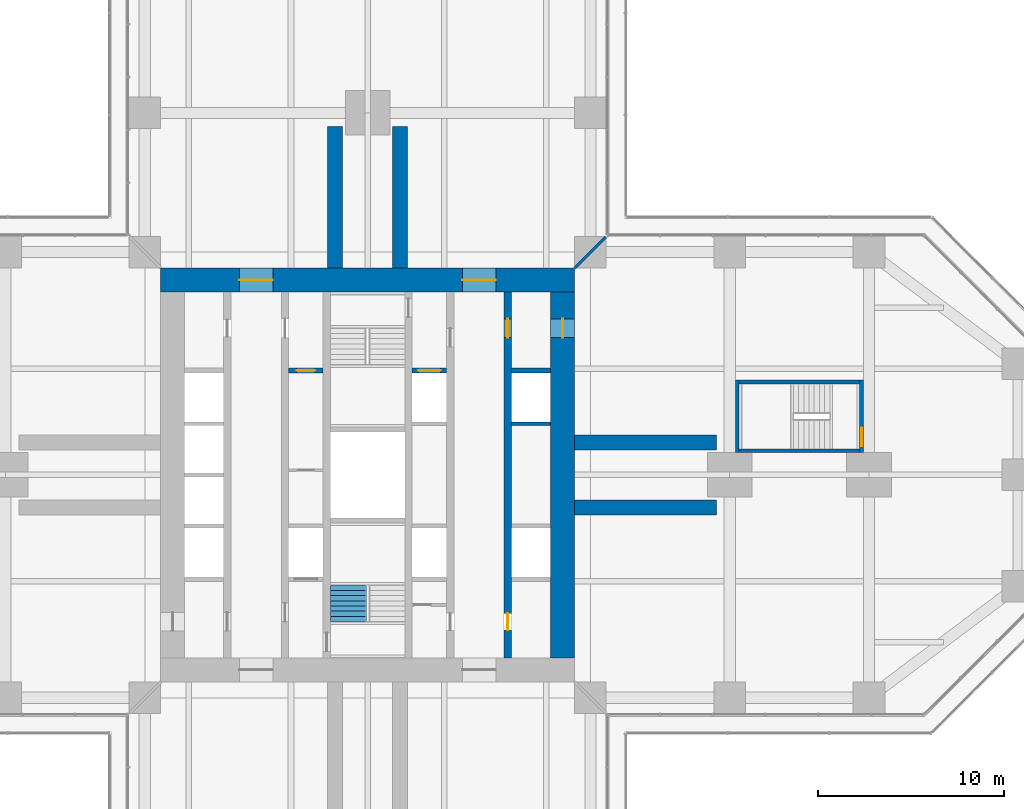
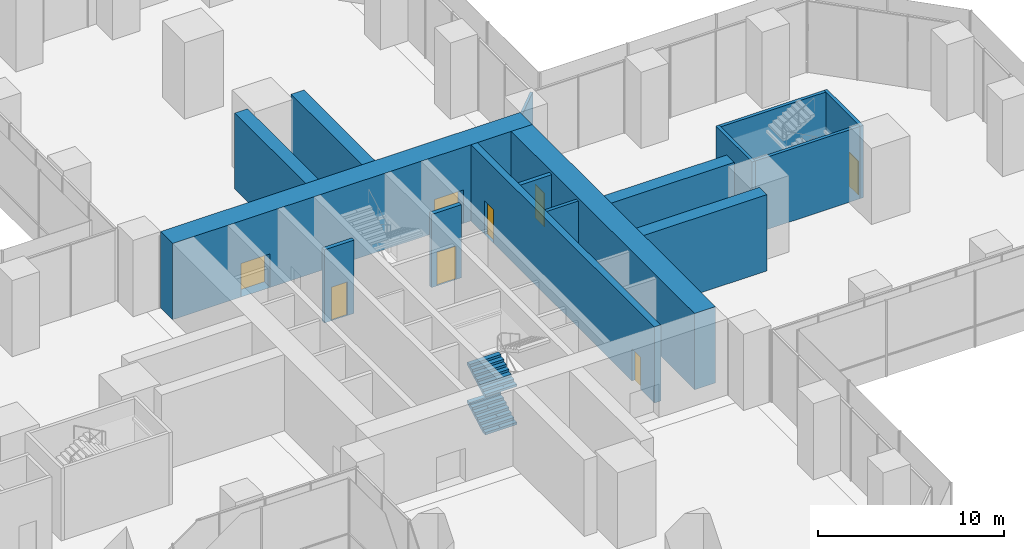
# One storey, part 18 of 23: 16 walls, 8 doors, 2 stair flights, 8 openings, 1 element without a shape of its own.
"""IFC4 building model written with IfcOpenShell, lengths in metres."""

from ifc_helpers import new_model, si_unit, direction, frame, frame_2d, origin, place, context, subcontext, project, spatial, polyline, rectangle, outline, extrude, material, layer, layer_set, type_object, element, fill, aggregate, save


model = new_model("IFC4")

# Units and contexts
model_context = context("Model", 3, precision=1e-05, world=origin(), true_north=direction((0.0, 1.0)))
body_context = subcontext(model_context, "Body", "Model", "MODEL_VIEW")
ifc_project = project(units=[si_unit("LENGTHUNIT", "METRE"), si_unit("AREAUNIT", "SQUARE_METRE"), si_unit("VOLUMEUNIT", "CUBIC_METRE"), si_unit("PLANEANGLEUNIT", "RADIAN"), si_unit("MASSUNIT", "GRAM", prefix="KILO")], contexts=[model_context])

# Site, building, storey
site_placement = place(None, origin())
site = spatial("IfcSite", under=ifc_project, at=site_placement, CompositionType="ELEMENT")
building_placement = place(site_placement, origin())
building = spatial("IfcBuilding", under=site, at=building_placement, Name="Mizan Broadcast Tower", CompositionType="ELEMENT")
storey_placement = place(building_placement, frame((0.0, 0.0, 23.0)))
storey = spatial("IfcBuildingStorey", under=building, at=storey_placement, Name="L03", CompositionType="ELEMENT", Elevation=23.0)

# Wall, openings, doors
ifc_material_1 = material(Name="Concrete C70/85", Category="concrete")
ifc_layer_1 = layer(ifc_material_1, 0.39990234375)
ifc_layer_set_1 = layer_set([ifc_layer_1], Name="Concrete C70/85")
wall_type_1 = type_object("IfcWallType", Name="CORE INTERNAL WALL 400", PredefinedType="SHEAR", material=ifc_layer_set_1)
wall_1_placement = place(storey_placement, frame((7.550048828125, 9.85009765625, 0.0), z_axis=(0.0, 0.0, 1.0), x_axis=(0.0, -1.0, 0.0)))
wall_1 = element("IfcWall", 1, at=wall_1_placement, inside=storey, type_object=wall_type_1, Name="Core wall CORE/XW1E", PredefinedType="SHEAR", context=body_context, shape_type="SweptSolid", body=[
    extrude(rectangle(XDim=19.7001953125, YDim=0.39990234375, at=frame_2d((9.85009765625, 0.0))), origin(), (0.0, 0.0, 1.0), 5.0),
])
opening_1_placement = place(wall_1_placement, frame((1.449951171875, 0.0, 0.0)))
opening_1 = element("IfcOpeningElement", 2, at=opening_1_placement, cuts=wall_1, Name="Opening D10F", PredefinedType="OPENING", context=body_context, shape_type="SweptSolid", body=[
    extrude(rectangle(XDim=1.0, YDim=2.199951171875, at=frame_2d((0.5, 1.10009765625))), frame((0.0, 0.2099609375, 0.0), z_axis=(0.0, -1.0, 0.0), x_axis=(1.0, 0.0, 0.0)), (0.0, 0.0, 1.0), 0.419921875),
])
opening_2_placement = place(wall_1_placement, frame((17.300048828125, 0.0, 0.0)))
opening_2 = element("IfcOpeningElement", 3, at=opening_2_placement, cuts=wall_1, Name="Opening D09", PredefinedType="OPENING", context=body_context, shape_type="SweptSolid", body=[
    extrude(rectangle(XDim=0.89990234375, YDim=2.10009765625, at=frame_2d((0.449951171875, 1.050048828125))), frame((0.0, 0.2099609375, 0.0), z_axis=(0.0, -1.0, 0.0), x_axis=(1.0, 0.0, 0.0)), (0.0, 0.0, 1.0), 0.419921875),
])
ifc_material_2 = material(Name="Steel door leaf in steel frame", Category="steel")
door_type_1 = type_object("IfcDoorType", Name="FIRE DOOR 1000 FD90", OperationType="SINGLE_SWING_LEFT", PredefinedType="DOOR", material=ifc_material_2)
door_1_placement = place(opening_1_placement, origin())
door_1 = element("IfcDoor", 4, at=door_1_placement, inside=storey, type_object=door_type_1, Name="East core passage door", OperationType="SINGLE_SWING_LEFT", OverallHeight=2.199951171875, OverallWidth=1.0, PredefinedType="DOOR", context=body_context, shape_type="SweptSolid", body=[
    extrude(rectangle(XDim=1.0, YDim=2.199951171875, at=frame_2d((0.5, 1.10009765625))), frame((0.0, 0.02490234375, 0.0), z_axis=(0.0, -1.0, 0.0), x_axis=(1.0, 0.0, 0.0)), (0.0, 0.0, 1.0), 0.050048828125),
])
fill(opening_1, door_1)
ifc_material_3 = material(Name="Timber door leaf in aluminium frame", Category="wood")
door_type_2 = type_object("IfcDoorType", Name="TOILET DOOR 900", OperationType="SINGLE_SWING_LEFT", PredefinedType="DOOR", material=ifc_material_3)
door_2_placement = place(opening_2_placement, origin())
door_2 = element("IfcDoor", 5, at=door_2_placement, inside=storey, type_object=door_type_2, Name="Female WC door", OperationType="SINGLE_SWING_RIGHT", OverallHeight=2.10009765625, OverallWidth=0.89990234375, PredefinedType="DOOR", context=body_context, shape_type="SweptSolid", body=[
    extrude(rectangle(XDim=0.89990234375, YDim=2.10009765625, at=frame_2d((0.449951171875, 1.050048828125))), frame((0.0, 0.02490234375, 0.0), z_axis=(0.0, -1.0, 0.0), x_axis=(1.0, 0.0, 0.0)), (0.0, 0.0, 1.0), 0.050048828125),
])
fill(opening_2, door_2)

ifc_material_4 = material(Name="Concrete C70/85", Category="concrete")
ifc_layer_2 = layer(ifc_material_4, 1.300048828125)
ifc_layer_set_2 = layer_set([ifc_layer_2], Name="Concrete C70/85")
wall_type_2 = type_object("IfcWallType", Name="CORE WALL 1300", PredefinedType="SHEAR", material=ifc_layer_set_2)
wall_2_placement = place(storey_placement, frame((-11.14990234375, 10.5, 0.0), z_axis=(0.0, 0.0, 1.0), x_axis=(1.0, 0.0, 0.0)))
wall_2 = element("IfcWall", 6, at=wall_2_placement, inside=storey, type_object=wall_type_2, Name="Core wall N L03", PredefinedType="SHEAR", context=body_context, shape_type="SweptSolid", body=[
    extrude(rectangle(XDim=22.2998046875, YDim=1.300048828125, at=frame_2d((11.14990234375, 0.0))), origin(), (0.0, 0.0, 1.0), 5.0),
])
opening_3_placement = place(wall_2_placement, frame((4.25, 0.0, 0.0)))
opening_3 = element("IfcOpeningElement", 7, at=opening_3_placement, cuts=wall_2, Name="Opening D18F", PredefinedType="OPENING", context=body_context, shape_type="SweptSolid", body=[
    extrude(rectangle(XDim=1.800048828125, YDim=2.199951171875, at=frame_2d((0.89990234375, 1.10009765625))), frame((0.0, 0.659912109375, 0.0), z_axis=(0.0, -1.0, 0.0), x_axis=(1.0, 0.0, 0.0)), (0.0, 0.0, 1.0), 1.320068359375),
])
opening_4_placement = place(wall_2_placement, frame((16.25, 0.0, 0.0)))
opening_4 = element("IfcOpeningElement", 8, at=opening_4_placement, cuts=wall_2, Name="Opening D18F", PredefinedType="OPENING", context=body_context, shape_type="SweptSolid", body=[
    extrude(rectangle(XDim=1.800048828125, YDim=2.199951171875, at=frame_2d((0.89990234375, 1.10009765625))), frame((0.0, 0.659912109375, 0.0), z_axis=(0.0, -1.0, 0.0), x_axis=(1.0, 0.0, 0.0)), (0.0, 0.0, 1.0), 1.320068359375),
])
ifc_material_5 = material(Name="Steel door leaf in steel frame", Category="steel")
door_type_3 = type_object("IfcDoorType", Name="LOBBY DOUBLE DOOR 1800 FD90", OperationType="DOUBLE_DOOR_DOUBLE_SWING", PredefinedType="DOOR", material=ifc_material_5)
door_3_placement = place(opening_3_placement, origin())
door_3 = element("IfcDoor", 9, at=door_3_placement, inside=storey, type_object=door_type_3, Name="West lift lobby north door", OperationType="DOUBLE_DOOR_DOUBLE_SWING", OverallHeight=2.199951171875, OverallWidth=1.800048828125, PredefinedType="DOOR", context=body_context, shape_type="SweptSolid", body=[
    extrude(rectangle(XDim=1.800048828125, YDim=2.199951171875, at=frame_2d((0.89990234375, 1.10009765625))), frame((0.0, 0.02490234375, 0.0), z_axis=(0.0, -1.0, 0.0), x_axis=(1.0, 0.0, 0.0)), (0.0, 0.0, 1.0), 0.050048828125),
])
fill(opening_3, door_3)
door_4_placement = place(opening_4_placement, origin())
door_4 = element("IfcDoor", 10, at=door_4_placement, inside=storey, type_object=door_type_3, Name="East lift lobby north door", OperationType="DOUBLE_DOOR_DOUBLE_SWING", OverallHeight=2.199951171875, OverallWidth=1.800048828125, PredefinedType="DOOR", context=body_context, shape_type="SweptSolid", body=[
    extrude(rectangle(XDim=1.800048828125, YDim=2.199951171875, at=frame_2d((0.89990234375, 1.10009765625))), frame((0.0, 0.02490234375, 0.0), z_axis=(0.0, -1.0, 0.0), x_axis=(1.0, 0.0, 0.0)), (0.0, 0.0, 1.0), 0.050048828125),
])
fill(opening_4, door_4)

# Wall, opening, door
wall_3_placement = place(storey_placement, frame((10.5, -9.85009765625, 0.0), z_axis=(0.0, 0.0, 1.0), x_axis=(0.0, 1.0, 0.0)))
wall_3 = element("IfcWall", 11, at=wall_3_placement, inside=storey, type_object=wall_type_2, Name="Core wall E L03", PredefinedType="SHEAR", context=body_context, shape_type="SweptSolid", body=[
    extrude(rectangle(XDim=19.7001953125, YDim=1.300048828125, at=frame_2d((9.85009765625, 0.0))), origin(), (0.0, 0.0, 1.0), 5.0),
])
opening_5_placement = place(wall_3_placement, frame((17.25, 0.0, 0.0)))
opening_5 = element("IfcOpeningElement", 12, at=opening_5_placement, cuts=wall_3, Name="Opening D10F", PredefinedType="OPENING", context=body_context, shape_type="SweptSolid", body=[
    extrude(rectangle(XDim=1.0, YDim=2.199951171875, at=frame_2d((0.5, 1.10009765625))), frame((0.0, 0.659912109375, 0.0), z_axis=(0.0, -1.0, 0.0), x_axis=(1.0, 0.0, 0.0)), (0.0, 0.0, 1.0), 1.320068359375),
])
door_5_placement = place(opening_5_placement, origin())
door_5 = element("IfcDoor", 13, at=door_5_placement, inside=storey, type_object=door_type_1, Name="East core passage arm door", OperationType="SINGLE_SWING_RIGHT", OverallHeight=2.199951171875, OverallWidth=1.0, PredefinedType="DOOR", context=body_context, shape_type="SweptSolid", body=[
    extrude(rectangle(XDim=1.0, YDim=2.199951171875, at=frame_2d((0.5, 1.10009765625))), frame((0.0, 0.02490234375, 0.0), z_axis=(0.0, -1.0, 0.0), x_axis=(1.0, 0.0, 0.0)), (0.0, 0.0, 1.0), 0.050048828125),
])
fill(opening_5, door_5)

# Wall
ifc_material_6 = material(Name="Concrete blockwork", Category="masonry")
ifc_layer_3 = layer(ifc_material_6, 0.199951171875)
ifc_layer_set_3 = layer_set([ifc_layer_3], Name="Concrete blockwork")
wall_type_3 = type_object("IfcWallType", Name="LIFT SHAFT WALL 200", PredefinedType="SOLIDWALL", material=ifc_layer_set_3)
wall_4_placement = place(storey_placement, frame((7.75, 2.75, 0.0), z_axis=(0.0, 0.0, 1.0), x_axis=(1.0, 0.0, 0.0)))
element("IfcWall", 14, at=wall_4_placement, inside=storey, type_object=wall_type_3, Name="Lift shaft wall CORE/SE1-3", PredefinedType="SOLIDWALL", context=body_context, shape_type="SweptSolid", body=[
    extrude(rectangle(XDim=2.10009765625, YDim=0.199951171875, at=frame_2d((1.050048828125, 0.0))), origin(), (0.0, 0.0, 1.0), 4.800048828125),
])

# Wall, opening, door
ifc_material_7 = material(Name="Concrete blockwork", Category="masonry")
ifc_layer_4 = layer(ifc_material_7, 0.25)
ifc_layer_set_4 = layer_set([ifc_layer_4], Name="Concrete blockwork")
wall_type_4 = type_object("IfcWallType", Name="LOBBY ENCLOSURE WALL 250", PredefinedType="SOLIDWALL", material=ifc_layer_set_4)
wall_5_placement = place(storey_placement, frame((-4.25, 5.625, 0.0), z_axis=(0.0, 0.0, 1.0), x_axis=(1.0, 0.0, 0.0)))
wall_5 = element("IfcWall", 15, at=wall_5_placement, inside=storey, type_object=wall_type_4, Name="Lobby enclosure wall CORE/BW2N", PredefinedType="SOLIDWALL", context=body_context, shape_type="SweptSolid", body=[
    extrude(rectangle(XDim=1.85009765625, YDim=0.25, at=frame_2d((0.925048828125, 0.0))), origin(), (0.0, 0.0, 1.0), 4.800048828125),
])
opening_6_placement = place(wall_5_placement, frame((0.425048828125, 0.0, 0.0)))
opening_6 = element("IfcOpeningElement", 16, at=opening_6_placement, cuts=wall_5, Name="Opening D10F", PredefinedType="OPENING", context=body_context, shape_type="SweptSolid", body=[
    extrude(rectangle(XDim=1.0, YDim=2.199951171875, at=frame_2d((0.5, 1.10009765625))), frame((0.0, 0.135009765625, 0.0), z_axis=(0.0, -1.0, 0.0), x_axis=(1.0, 0.0, 0.0)), (0.0, 0.0, 1.0), 0.27001953125),
])
door_6_placement = place(opening_6_placement, origin())
door_6 = element("IfcDoor", 17, at=door_6_placement, inside=storey, type_object=door_type_1, Name="Baby change room door", OperationType="SINGLE_SWING_RIGHT", OverallHeight=2.199951171875, OverallWidth=1.0, PredefinedType="DOOR", context=body_context, shape_type="SweptSolid", body=[
    extrude(rectangle(XDim=1.0, YDim=2.199951171875, at=frame_2d((0.5, 1.10009765625))), frame((0.0, 0.02490234375, 0.0), z_axis=(0.0, -1.0, 0.0), x_axis=(1.0, 0.0, 0.0)), (0.0, 0.0, 1.0), 0.050048828125),
])
fill(opening_6, door_6)

wall_6_placement = place(storey_placement, frame((2.39990234375, 5.625, 0.0), z_axis=(0.0, 0.0, 1.0), x_axis=(1.0, 0.0, 0.0)))
wall_6 = element("IfcWall", 18, at=wall_6_placement, inside=storey, type_object=wall_type_4, Name="Lobby enclosure wall CORE/BE2N", PredefinedType="SOLIDWALL", context=body_context, shape_type="SweptSolid", body=[
    extrude(rectangle(XDim=1.85009765625, YDim=0.25, at=frame_2d((0.925048828125, 0.0))), origin(), (0.0, 0.0, 1.0), 4.800048828125),
])
opening_7_placement = place(wall_6_placement, frame((0.324951171875, 0.0, 0.0)))
opening_7 = element("IfcOpeningElement", 19, at=opening_7_placement, cuts=wall_6, Name="Opening LDF", PredefinedType="OPENING", context=body_context, shape_type="SweptSolid", body=[
    extrude(rectangle(XDim=1.199951171875, YDim=2.199951171875, at=frame_2d((0.60009765625, 1.10009765625))), frame((0.0, 0.135009765625, 0.0), z_axis=(0.0, -1.0, 0.0), x_axis=(1.0, 0.0, 0.0)), (0.0, 0.0, 1.0), 0.27001953125),
])
ifc_material_8 = material(Name="Steel door leaf in steel frame", Category="steel")
door_type_4 = type_object("IfcDoorType", Name="FIREFIGHTING LIFT LANDING DOOR 1200", OperationType="SLIDING_TO_LEFT", PredefinedType="DOOR", material=ifc_material_8)
door_7_placement = place(opening_7_placement, origin())
door_7 = element("IfcDoor", 20, at=door_7_placement, inside=storey, type_object=door_type_4, Name="Landing door FF2", OperationType="SLIDING_TO_LEFT", OverallHeight=2.199951171875, OverallWidth=1.199951171875, PredefinedType="DOOR", context=body_context, shape_type="SweptSolid", body=[
    extrude(rectangle(XDim=1.199951171875, YDim=2.199951171875, at=frame_2d((0.60009765625, 1.10009765625))), frame((0.0, 0.02490234375, 0.0), z_axis=(0.0, -1.0, 0.0), x_axis=(1.0, 0.0, 0.0)), (0.0, 0.0, 1.0), 0.050048828125),
])
fill(opening_7, door_7)

# Walls
wall_7_placement = place(storey_placement, frame((7.75, 5.625, 0.0), z_axis=(0.0, 0.0, 1.0), x_axis=(1.0, 0.0, 0.0)))
element("IfcWall", 21, at=wall_7_placement, inside=storey, type_object=wall_type_4, Name="Lobby enclosure wall CORE/BE1N", PredefinedType="SOLIDWALL", context=body_context, shape_type="SweptSolid", body=[
    extrude(rectangle(XDim=2.10009765625, YDim=0.25, at=frame_2d((1.050048828125, 0.0))), origin(), (0.0, 0.0, 1.0), 4.800048828125),
])
ifc_material_9 = material(Name="Gypsum board on steel studs", Category="steel")
ifc_layer_5 = layer(ifc_material_9, 0.14990234375)
ifc_layer_set_5 = layer_set([ifc_layer_5], Name="Gypsum board on steel studs")
wall_type_5 = type_object("IfcWallType", Name="PARTITION 150", PredefinedType="PARTITIONING", material=ifc_layer_set_5)
wall_8_placement = place(storey_placement, frame((11.14990234375, 11.14990234375, 0.0), z_axis=(0.0, 0.0, 1.0), x_axis=(0.707106781187, 0.707106781187, 0.0)))
element("IfcWall", 22, at=wall_8_placement, inside=storey, type_object=wall_type_5, Name="Partition PT/DGEN", PredefinedType="PARTITIONING", context=body_context, shape_type="SweptSolid", body=[
    extrude(rectangle(XDim=2.362060546875, YDim=0.14990234375, at=frame_2d((1.18115234375, 0.0))), origin(), (0.0, 0.0, 1.0), 4.75),
])
ifc_material_10 = material(Name="Concrete C70/85", Category="concrete")
ifc_layer_6 = layer(ifc_material_10, 0.800048828125)
ifc_layer_set_6 = layer_set([ifc_layer_6], Name="Concrete C70/85")
wall_type_6 = type_object("IfcWallType", Name="SPINE WALL 800", PredefinedType="SHEAR", material=ifc_layer_set_6)
for number, where, z_axis, x_axis, name in (
    (23, (11.14990234375, -1.75, 0.0), (0.0, 0.0, 1.0), (1.0, 0.0, 0.0), "Spine wall ER L03"),
    (24, (11.14990234375, 1.75, 0.0), (0.0, 0.0, 1.0), (1.0, 0.0, 0.0), "Spine wall EL L03"),
    (25, (1.75, 11.14990234375, 0.0), (0.0, 0.0, 1.0), (0.0, 1.0, 0.0), "Spine wall NR L03"),
    (26, (-1.75, 11.14990234375, 0.0), (0.0, 0.0, 1.0), (0.0, 1.0, 0.0), "Spine wall NL L03"),
):
    element("IfcWall", number, at=place(storey_placement, frame(where, z_axis=z_axis, x_axis=x_axis)), inside=storey, type_object=wall_type_6, Name=name, PredefinedType="SHEAR", context=body_context, shape_type="SweptSolid", body=[
        extrude(rectangle(XDim=7.625, YDim=0.800048828125, at=frame_2d((3.8125, 0.0))), origin(), (0.0, 0.0, 1.0), 5.0),
    ])
ifc_material_11 = material(Name="Concrete C40/50", Category="concrete")
ifc_layer_7 = layer(ifc_material_11, 0.199951171875)
ifc_layer_set_7 = layer_set([ifc_layer_7], Name="Concrete C40/50")
wall_type_7 = type_object("IfcWallType", Name="STAIR SHAFT WALL 200 RC", PredefinedType="SOLIDWALL", material=ifc_layer_set_7)
wall_9_placement = place(storey_placement, frame((19.89990234375, 1.199951171875, 0.0), z_axis=(0.0, 0.0, 1.0), x_axis=(0.0, 1.0, 0.0)))
element("IfcWall", 27, at=wall_9_placement, inside=storey, type_object=wall_type_7, Name="Stair shaft wall PS/E/U0", PredefinedType="SOLIDWALL", context=body_context, shape_type="SweptSolid", body=[
    extrude(rectangle(XDim=3.900146484375, YDim=0.199951171875, at=frame_2d((1.9501953125, 0.0))), origin(), (0.0, 0.0, 1.0), 4.75),
])

# Wall, opening, door
wall_10_placement = place(storey_placement, frame((26.60009765625, 5.10009765625, 0.0), z_axis=(0.0, 0.0, 1.0), x_axis=(0.0, -1.0, 0.0)))
wall_10 = element("IfcWall", 28, at=wall_10_placement, inside=storey, type_object=wall_type_7, Name="Stair shaft wall PS/E/U1", PredefinedType="SOLIDWALL", context=body_context, shape_type="SweptSolid", body=[
    extrude(rectangle(XDim=3.900146484375, YDim=0.199951171875, at=frame_2d((1.9501953125, 0.0))), origin(), (0.0, 0.0, 1.0), 4.75),
])
opening_8_placement = place(wall_10_placement, frame((2.550048828125, 0.0, 0.0)))
opening_8 = element("IfcOpeningElement", 29, at=opening_8_placement, cuts=wall_10, Name="Opening D10S", PredefinedType="OPENING", context=body_context, shape_type="SweptSolid", body=[
    extrude(rectangle(XDim=1.0, YDim=2.199951171875, at=frame_2d((0.5, 1.10009765625))), frame((0.0, 0.10986328125, 0.0), z_axis=(0.0, -1.0, 0.0), x_axis=(1.0, 0.0, 0.0)), (0.0, 0.0, 1.0), 0.219970703125),
])
ifc_material_12 = material(Name="Steel door leaf in steel frame", Category="steel")
door_type_5 = type_object("IfcDoorType", Name="STAIR DOOR 1000 FD90S", OperationType="SINGLE_SWING_RIGHT", PredefinedType="DOOR", material=ifc_material_12)
door_8_placement = place(opening_8_placement, origin())
door_8 = element("IfcDoor", 30, at=door_8_placement, inside=storey, type_object=door_type_5, Name="Stair C door", OperationType="SINGLE_SWING_RIGHT", OverallHeight=2.199951171875, OverallWidth=1.0, PredefinedType="DOOR", context=body_context, shape_type="SweptSolid", body=[
    extrude(rectangle(XDim=1.0, YDim=2.199951171875, at=frame_2d((0.5, 1.10009765625))), frame((0.0, 0.02490234375, 0.0), z_axis=(0.0, -1.0, 0.0), x_axis=(1.0, 0.0, 0.0)), (0.0, 0.0, 1.0), 0.050048828125),
])
fill(opening_8, door_8)

# Walls
for number, where, z_axis, x_axis, name in (
    (31, (20.0, 1.300048828125, 0.0), (0.0, 0.0, 1.0), (1.0, 0.0, 0.0), "Stair shaft wall PS/E/V0"),
    (32, (26.5, 5.0, 0.0), (0.0, 0.0, 1.0), (-1.0, 0.0, 0.0), "Stair shaft wall PS/E/V1"),
):
    element("IfcWall", number, at=place(storey_placement, frame(where, z_axis=z_axis, x_axis=x_axis)), inside=storey, type_object=wall_type_7, Name=name, PredefinedType="SOLIDWALL", context=body_context, shape_type="SweptSolid", body=[
        extrude(rectangle(XDim=6.5, YDim=0.199951171875, at=frame_2d((3.25, 0.0))), origin(), (0.0, 0.0, 1.0), 4.75),
    ])

# Stair, stair flights
ifc_material_13 = material(Name="Concrete C40/50", Category="concrete")
stair_type = type_object("IfcStairType", Name="EXIT STAIR", PredefinedType="HALF_TURN_STAIR", material=ifc_material_13)
stair_placement = place(storey_placement, origin())
stair = element("IfcStair", 33, at=stair_placement, inside=storey, type_object=stair_type, Name="Stair A L03", PredefinedType="HALF_TURN_STAIR")
ifc_material_14 = material(Name="Concrete C40/50", Category="concrete")
stair_flight_type = type_object("IfcStairFlightType", Name="EXIT STAIR FLIGHT", PredefinedType="STRAIGHT", material=ifc_material_14)
stair_flight_1_placement = place(storey_placement, frame((-1.02490234375, -7.89990234375, 0.0), z_axis=(0.0, 0.0, 1.0), x_axis=(0.0, 1.0, 0.0)))
stair_flight_1 = element("IfcStairFlight", 34, at=stair_flight_1_placement, type_object=stair_flight_type, Name="A flight 1", NumberOfRisers=8, NumberOfTreads=7, PredefinedType="STRAIGHT", RiserHeight=0.15625, TreadLength=0.28, context=body_context, shape_type="SweptSolid", body=[
    extrude(outline(polyline([(0.0, 0.0), (0.0, 0.15625), (0.280029296875, 0.15625), (0.280029296875, 0.3125), (0.56005859375, 0.3125), (0.56005859375, 0.46875), (0.840087890625, 0.46875), (0.840087890625, 0.625), (1.1201171875, 0.625), (1.1201171875, 0.78125), (1.39990234375, 0.78125), (1.39990234375, 0.9375), (1.679931640625, 0.9375), (1.679931640625, 1.09375), (1.9599609375, 1.09375), (1.9599609375, 1.25), (1.9599609375, 0.922119140625), (0.3076171875, 0.0), (0.0, 0.0)])), frame((0.0, 0.97509765625, 0.0), z_axis=(0.0, -1.0, 0.0), x_axis=(1.0, 0.0, 0.0)), (0.0, 0.0, 1.0), 0.4873046875),
    extrude(outline(polyline([(0.0, 0.0), (0.0, 0.15625), (0.280029296875, 0.15625), (0.280029296875, 0.3125), (0.56005859375, 0.3125), (0.56005859375, 0.46875), (0.840087890625, 0.46875), (0.840087890625, 0.625), (1.1201171875, 0.625), (1.1201171875, 0.78125), (1.39990234375, 0.78125), (1.39990234375, 0.9375), (1.679931640625, 0.9375), (1.679931640625, 1.09375), (1.9599609375, 1.09375), (1.9599609375, 1.25), (1.9599609375, 0.922119140625), (0.3076171875, 0.0), (0.0, 0.0)])), frame((0.0, 0.4873046875, 0.0), z_axis=(0.0, -1.0, 0.0), x_axis=(1.0, 0.0, 0.0)), (0.0, 0.0, 1.0), 0.2431640625),
    extrude(outline(polyline([(0.0, 0.0), (0.0, 0.15625), (0.280029296875, 0.15625), (0.280029296875, 0.3125), (0.56005859375, 0.3125), (0.56005859375, 0.46875), (0.840087890625, 0.46875), (0.840087890625, 0.625), (1.1201171875, 0.625), (1.1201171875, 0.78125), (1.39990234375, 0.78125), (1.39990234375, 0.9375), (1.679931640625, 0.9375), (1.679931640625, 1.09375), (1.9599609375, 1.09375), (1.9599609375, 1.25), (1.9599609375, 0.922119140625), (0.3076171875, 0.0), (0.0, 0.0)])), frame((0.0, 0.24365234375, 0.0), z_axis=(0.0, -1.0, 0.0), x_axis=(1.0, 0.0, 0.0)), (0.0, 0.0, 1.0), 0.121337890625),
    extrude(outline(polyline([(0.0, 0.0), (0.0, 0.15625), (0.280029296875, 0.15625), (0.280029296875, 0.3125), (0.56005859375, 0.3125), (0.56005859375, 0.46875), (0.840087890625, 0.46875), (0.840087890625, 0.625), (1.1201171875, 0.625), (1.1201171875, 0.78125), (1.39990234375, 0.78125), (1.39990234375, 0.9375), (1.679931640625, 0.9375), (1.679931640625, 1.09375), (1.9599609375, 1.09375), (1.9599609375, 1.25), (1.9599609375, 0.922119140625), (0.3076171875, 0.0), (0.0, 0.0)])), frame((0.0, 0.121826171875, 0.0), z_axis=(0.0, -1.0, 0.0), x_axis=(1.0, 0.0, 0.0)), (0.0, 0.0, 1.0), 0.060546875),
    extrude(outline(polyline([(0.0, 0.0), (0.0, 0.15625), (0.280029296875, 0.15625), (0.280029296875, 0.3125), (0.56005859375, 0.3125), (0.56005859375, 0.46875), (0.840087890625, 0.46875), (0.840087890625, 0.625), (1.1201171875, 0.625), (1.1201171875, 0.78125), (1.39990234375, 0.78125), (1.39990234375, 0.9375), (1.679931640625, 0.9375), (1.679931640625, 1.09375), (1.9599609375, 1.09375), (1.9599609375, 1.25), (1.9599609375, 0.922119140625), (0.3076171875, 0.0), (0.0, 0.0)])), frame((0.0, 0.060791015625, 0.0), z_axis=(0.0, -1.0, 0.0), x_axis=(1.0, 0.0, 0.0)), (0.0, 0.0, 1.0), 0.030029296875),
    extrude(outline(polyline([(0.0, 0.0), (0.0, 0.15625), (0.280029296875, 0.15625), (0.280029296875, 0.3125), (0.56005859375, 0.3125), (0.56005859375, 0.46875), (0.840087890625, 0.46875), (0.840087890625, 0.625), (1.1201171875, 0.625), (1.1201171875, 0.78125), (1.39990234375, 0.78125), (1.39990234375, 0.9375), (1.679931640625, 0.9375), (1.679931640625, 1.09375), (1.9599609375, 1.09375), (1.9599609375, 1.25), (1.9599609375, 0.922119140625), (0.3076171875, 0.0), (0.0, 0.0)])), frame((0.0, 0.0302734375, 0.0), z_axis=(0.0, -1.0, 0.0), x_axis=(1.0, 0.0, 0.0)), (0.0, 0.0, 1.0), 0.060302734375),
    extrude(outline(polyline([(0.0, 0.0), (0.0, 0.15625), (0.280029296875, 0.15625), (0.280029296875, 0.3125), (0.56005859375, 0.3125), (0.56005859375, 0.46875), (0.840087890625, 0.46875), (0.840087890625, 0.625), (1.1201171875, 0.625), (1.1201171875, 0.78125), (1.39990234375, 0.78125), (1.39990234375, 0.9375), (1.679931640625, 0.9375), (1.679931640625, 1.09375), (1.9599609375, 1.09375), (1.9599609375, 1.25), (1.9599609375, 0.922119140625), (0.3076171875, 0.0), (0.0, 0.0)])), frame((0.0, -0.030517578125, 0.0), z_axis=(0.0, -1.0, 0.0), x_axis=(1.0, 0.0, 0.0)), (0.0, 0.0, 1.0), 0.030029296875),
    extrude(outline(polyline([(0.0, 0.0), (0.0, 0.15625), (0.280029296875, 0.15625), (0.280029296875, 0.3125), (0.56005859375, 0.3125), (0.56005859375, 0.46875), (0.840087890625, 0.46875), (0.840087890625, 0.625), (1.1201171875, 0.625), (1.1201171875, 0.78125), (1.39990234375, 0.78125), (1.39990234375, 0.9375), (1.679931640625, 0.9375), (1.679931640625, 1.09375), (1.9599609375, 1.09375), (1.9599609375, 1.25), (1.9599609375, 0.922119140625), (0.3076171875, 0.0), (0.0, 0.0)])), frame((0.0, -0.06103515625, 0.0), z_axis=(0.0, -1.0, 0.0), x_axis=(1.0, 0.0, 0.0)), (0.0, 0.0, 1.0), 0.060546875),
    extrude(outline(polyline([(0.0, 0.0), (0.0, 0.15625), (0.280029296875, 0.15625), (0.280029296875, 0.3125), (0.56005859375, 0.3125), (0.56005859375, 0.46875), (0.840087890625, 0.46875), (0.840087890625, 0.625), (1.1201171875, 0.625), (1.1201171875, 0.78125), (1.39990234375, 0.78125), (1.39990234375, 0.9375), (1.679931640625, 0.9375), (1.679931640625, 1.09375), (1.9599609375, 1.09375), (1.9599609375, 1.25), (1.9599609375, 0.922119140625), (0.3076171875, 0.0), (0.0, 0.0)])), frame((0.0, -0.1220703125, 0.0), z_axis=(0.0, -1.0, 0.0), x_axis=(1.0, 0.0, 0.0)), (0.0, 0.0, 1.0), 0.121337890625),
    extrude(outline(polyline([(0.0, 0.0), (0.0, 0.15625), (0.280029296875, 0.15625), (0.280029296875, 0.3125), (0.56005859375, 0.3125), (0.56005859375, 0.46875), (0.840087890625, 0.46875), (0.840087890625, 0.625), (1.1201171875, 0.625), (1.1201171875, 0.78125), (1.39990234375, 0.78125), (1.39990234375, 0.9375), (1.679931640625, 0.9375), (1.679931640625, 1.09375), (1.9599609375, 1.09375), (1.9599609375, 1.25), (1.9599609375, 0.922119140625), (0.3076171875, 0.0), (0.0, 0.0)])), frame((0.0, -0.243896484375, 0.0), z_axis=(0.0, -1.0, 0.0), x_axis=(1.0, 0.0, 0.0)), (0.0, 0.0, 1.0), 0.2431640625),
    extrude(outline(polyline([(0.0, 0.0), (0.0, 0.15625), (0.280029296875, 0.15625), (0.280029296875, 0.3125), (0.56005859375, 0.3125), (0.56005859375, 0.46875), (0.840087890625, 0.46875), (0.840087890625, 0.625), (1.1201171875, 0.625), (1.1201171875, 0.78125), (1.39990234375, 0.78125), (1.39990234375, 0.9375), (1.679931640625, 0.9375), (1.679931640625, 1.09375), (1.9599609375, 1.09375), (1.9599609375, 1.25), (1.9599609375, 0.922119140625), (0.3076171875, 0.0), (0.0, 0.0)])), frame((0.0, -0.487548828125, 0.0), z_axis=(0.0, -1.0, 0.0), x_axis=(1.0, 0.0, 0.0)), (0.0, 0.0, 1.0), 0.4873046875),
])
stair_flight_2_placement = place(storey_placement, frame((-1.02490234375, -7.89990234375, 2.5), z_axis=(0.0, 0.0, 1.0), x_axis=(0.0, 1.0, 0.0)))
stair_flight_2 = element("IfcStairFlight", 35, at=stair_flight_2_placement, type_object=stair_flight_type, Name="A flight 3", NumberOfRisers=8, NumberOfTreads=7, PredefinedType="STRAIGHT", RiserHeight=0.15625, TreadLength=0.28, context=body_context, shape_type="SweptSolid", body=[
    extrude(outline(polyline([(0.0, 0.0), (0.0, 0.15625), (0.280029296875, 0.15625), (0.280029296875, 0.3125), (0.56005859375, 0.3125), (0.56005859375, 0.46875), (0.840087890625, 0.46875), (0.840087890625, 0.625), (1.1201171875, 0.625), (1.1201171875, 0.78125), (1.39990234375, 0.78125), (1.39990234375, 0.9375), (1.679931640625, 0.9375), (1.679931640625, 1.09375), (1.9599609375, 1.09375), (1.9599609375, 1.25), (1.9599609375, 0.922119140625), (0.3076171875, 0.0), (0.0, 0.0)])), frame((0.0, 0.97509765625, 0.0), z_axis=(0.0, -1.0, 0.0), x_axis=(1.0, 0.0, 0.0)), (0.0, 0.0, 1.0), 0.4873046875),
    extrude(outline(polyline([(0.0, 0.0), (0.0, 0.15625), (0.280029296875, 0.15625), (0.280029296875, 0.3125), (0.56005859375, 0.3125), (0.56005859375, 0.46875), (0.840087890625, 0.46875), (0.840087890625, 0.625), (1.1201171875, 0.625), (1.1201171875, 0.78125), (1.39990234375, 0.78125), (1.39990234375, 0.9375), (1.679931640625, 0.9375), (1.679931640625, 1.09375), (1.9599609375, 1.09375), (1.9599609375, 1.25), (1.9599609375, 0.922119140625), (0.3076171875, 0.0), (0.0, 0.0)])), frame((0.0, 0.4873046875, 0.0), z_axis=(0.0, -1.0, 0.0), x_axis=(1.0, 0.0, 0.0)), (0.0, 0.0, 1.0), 0.2431640625),
    extrude(outline(polyline([(0.0, 0.0), (0.0, 0.15625), (0.280029296875, 0.15625), (0.280029296875, 0.3125), (0.56005859375, 0.3125), (0.56005859375, 0.46875), (0.840087890625, 0.46875), (0.840087890625, 0.625), (1.1201171875, 0.625), (1.1201171875, 0.78125), (1.39990234375, 0.78125), (1.39990234375, 0.9375), (1.679931640625, 0.9375), (1.679931640625, 1.09375), (1.9599609375, 1.09375), (1.9599609375, 1.25), (1.9599609375, 0.922119140625), (0.3076171875, 0.0), (0.0, 0.0)])), frame((0.0, 0.24365234375, 0.0), z_axis=(0.0, -1.0, 0.0), x_axis=(1.0, 0.0, 0.0)), (0.0, 0.0, 1.0), 0.121337890625),
    extrude(outline(polyline([(0.0, 0.0), (0.0, 0.15625), (0.280029296875, 0.15625), (0.280029296875, 0.3125), (0.56005859375, 0.3125), (0.56005859375, 0.46875), (0.840087890625, 0.46875), (0.840087890625, 0.625), (1.1201171875, 0.625), (1.1201171875, 0.78125), (1.39990234375, 0.78125), (1.39990234375, 0.9375), (1.679931640625, 0.9375), (1.679931640625, 1.09375), (1.9599609375, 1.09375), (1.9599609375, 1.25), (1.9599609375, 0.922119140625), (0.3076171875, 0.0), (0.0, 0.0)])), frame((0.0, 0.121826171875, 0.0), z_axis=(0.0, -1.0, 0.0), x_axis=(1.0, 0.0, 0.0)), (0.0, 0.0, 1.0), 0.060546875),
    extrude(outline(polyline([(0.0, 0.0), (0.0, 0.15625), (0.280029296875, 0.15625), (0.280029296875, 0.3125), (0.56005859375, 0.3125), (0.56005859375, 0.46875), (0.840087890625, 0.46875), (0.840087890625, 0.625), (1.1201171875, 0.625), (1.1201171875, 0.78125), (1.39990234375, 0.78125), (1.39990234375, 0.9375), (1.679931640625, 0.9375), (1.679931640625, 1.09375), (1.9599609375, 1.09375), (1.9599609375, 1.25), (1.9599609375, 0.922119140625), (0.3076171875, 0.0), (0.0, 0.0)])), frame((0.0, 0.060791015625, 0.0), z_axis=(0.0, -1.0, 0.0), x_axis=(1.0, 0.0, 0.0)), (0.0, 0.0, 1.0), 0.030029296875),
    extrude(outline(polyline([(0.0, 0.0), (0.0, 0.15625), (0.280029296875, 0.15625), (0.280029296875, 0.3125), (0.56005859375, 0.3125), (0.56005859375, 0.46875), (0.840087890625, 0.46875), (0.840087890625, 0.625), (1.1201171875, 0.625), (1.1201171875, 0.78125), (1.39990234375, 0.78125), (1.39990234375, 0.9375), (1.679931640625, 0.9375), (1.679931640625, 1.09375), (1.9599609375, 1.09375), (1.9599609375, 1.25), (1.9599609375, 0.922119140625), (0.3076171875, 0.0), (0.0, 0.0)])), frame((0.0, 0.0302734375, 0.0), z_axis=(0.0, -1.0, 0.0), x_axis=(1.0, 0.0, 0.0)), (0.0, 0.0, 1.0), 0.060302734375),
    extrude(outline(polyline([(0.0, 0.0), (0.0, 0.15625), (0.280029296875, 0.15625), (0.280029296875, 0.3125), (0.56005859375, 0.3125), (0.56005859375, 0.46875), (0.840087890625, 0.46875), (0.840087890625, 0.625), (1.1201171875, 0.625), (1.1201171875, 0.78125), (1.39990234375, 0.78125), (1.39990234375, 0.9375), (1.679931640625, 0.9375), (1.679931640625, 1.09375), (1.9599609375, 1.09375), (1.9599609375, 1.25), (1.9599609375, 0.922119140625), (0.3076171875, 0.0), (0.0, 0.0)])), frame((0.0, -0.030517578125, 0.0), z_axis=(0.0, -1.0, 0.0), x_axis=(1.0, 0.0, 0.0)), (0.0, 0.0, 1.0), 0.030029296875),
    extrude(outline(polyline([(0.0, 0.0), (0.0, 0.15625), (0.280029296875, 0.15625), (0.280029296875, 0.3125), (0.56005859375, 0.3125), (0.56005859375, 0.46875), (0.840087890625, 0.46875), (0.840087890625, 0.625), (1.1201171875, 0.625), (1.1201171875, 0.78125), (1.39990234375, 0.78125), (1.39990234375, 0.9375), (1.679931640625, 0.9375), (1.679931640625, 1.09375), (1.9599609375, 1.09375), (1.9599609375, 1.25), (1.9599609375, 0.922119140625), (0.3076171875, 0.0), (0.0, 0.0)])), frame((0.0, -0.06103515625, 0.0), z_axis=(0.0, -1.0, 0.0), x_axis=(1.0, 0.0, 0.0)), (0.0, 0.0, 1.0), 0.060546875),
    extrude(outline(polyline([(0.0, 0.0), (0.0, 0.15625), (0.280029296875, 0.15625), (0.280029296875, 0.3125), (0.56005859375, 0.3125), (0.56005859375, 0.46875), (0.840087890625, 0.46875), (0.840087890625, 0.625), (1.1201171875, 0.625), (1.1201171875, 0.78125), (1.39990234375, 0.78125), (1.39990234375, 0.9375), (1.679931640625, 0.9375), (1.679931640625, 1.09375), (1.9599609375, 1.09375), (1.9599609375, 1.25), (1.9599609375, 0.922119140625), (0.3076171875, 0.0), (0.0, 0.0)])), frame((0.0, -0.1220703125, 0.0), z_axis=(0.0, -1.0, 0.0), x_axis=(1.0, 0.0, 0.0)), (0.0, 0.0, 1.0), 0.121337890625),
    extrude(outline(polyline([(0.0, 0.0), (0.0, 0.15625), (0.280029296875, 0.15625), (0.280029296875, 0.3125), (0.56005859375, 0.3125), (0.56005859375, 0.46875), (0.840087890625, 0.46875), (0.840087890625, 0.625), (1.1201171875, 0.625), (1.1201171875, 0.78125), (1.39990234375, 0.78125), (1.39990234375, 0.9375), (1.679931640625, 0.9375), (1.679931640625, 1.09375), (1.9599609375, 1.09375), (1.9599609375, 1.25), (1.9599609375, 0.922119140625), (0.3076171875, 0.0), (0.0, 0.0)])), frame((0.0, -0.243896484375, 0.0), z_axis=(0.0, -1.0, 0.0), x_axis=(1.0, 0.0, 0.0)), (0.0, 0.0, 1.0), 0.2431640625),
    extrude(outline(polyline([(0.0, 0.0), (0.0, 0.15625), (0.280029296875, 0.15625), (0.280029296875, 0.3125), (0.56005859375, 0.3125), (0.56005859375, 0.46875), (0.840087890625, 0.46875), (0.840087890625, 0.625), (1.1201171875, 0.625), (1.1201171875, 0.78125), (1.39990234375, 0.78125), (1.39990234375, 0.9375), (1.679931640625, 0.9375), (1.679931640625, 1.09375), (1.9599609375, 1.09375), (1.9599609375, 1.25), (1.9599609375, 0.922119140625), (0.3076171875, 0.0), (0.0, 0.0)])), frame((0.0, -0.487548828125, 0.0), z_axis=(0.0, -1.0, 0.0), x_axis=(1.0, 0.0, 0.0)), (0.0, 0.0, 1.0), 0.4873046875),
])
aggregate(stair, [stair_flight_1, stair_flight_2])

save(model, "model.ifc")
